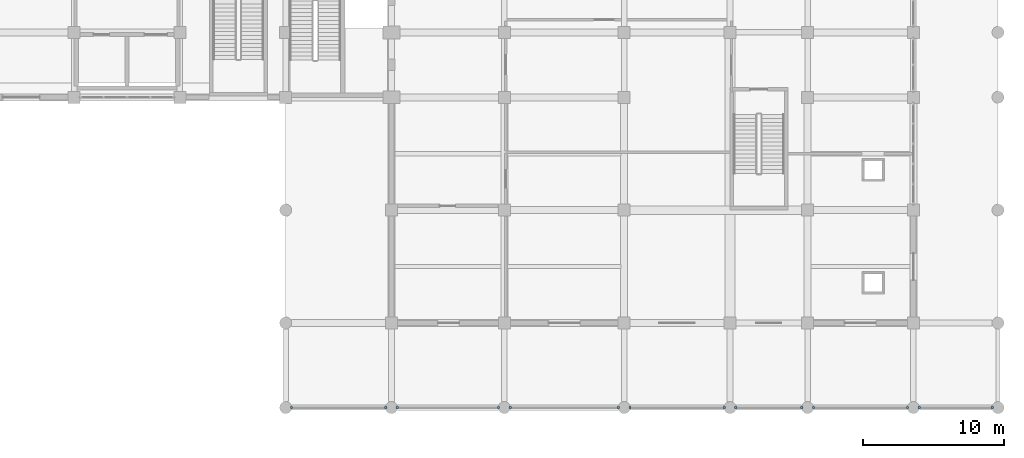
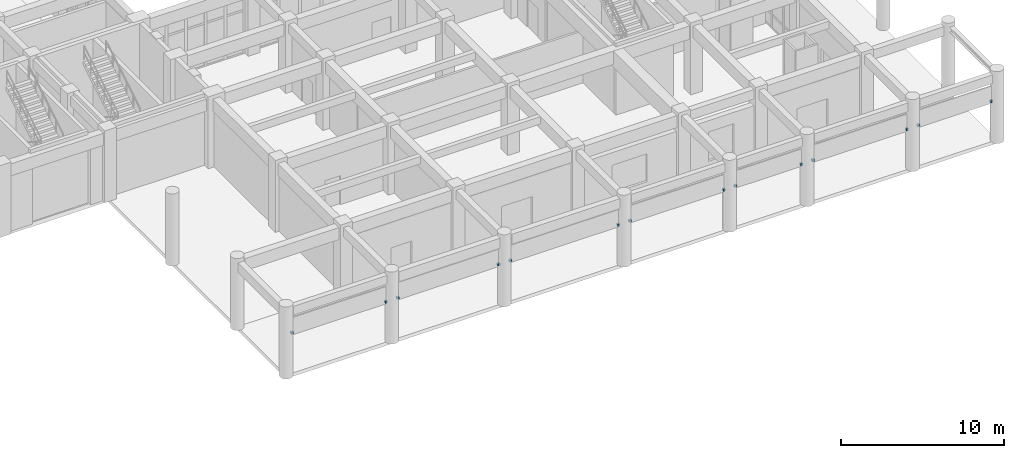
# One storey, part 74 of 84: 14 discrete accessories.
"""IFC4 building model written with IfcOpenShell, lengths in metres."""

from ifc_helpers import new_model, si_unit, direction, frame, origin, origin_2d, place, context, subcontext, project, spatial, rectangle, extrude, material, type_object, element, save


model = new_model("IFC4")

# Units and contexts
model_context = context("Model", 3, precision=1e-05, world=origin(), true_north=direction((0.0, 1.0)))
body_context = subcontext(model_context, "Body", "Model", "MODEL_VIEW")
ifc_project = project(units=[si_unit("LENGTHUNIT", "METRE"), si_unit("AREAUNIT", "SQUARE_METRE"), si_unit("VOLUMEUNIT", "CUBIC_METRE"), si_unit("PLANEANGLEUNIT", "RADIAN"), si_unit("MASSUNIT", "GRAM", prefix="KILO")], contexts=[model_context])

# Site, building, storey
site_placement = place(None, origin())
site = spatial("IfcSite", under=ifc_project, at=site_placement, CompositionType="ELEMENT")
building_placement = place(site_placement, origin())
building = spatial("IfcBuilding", under=site, at=building_placement, Name="Muzn Square Opera House", CompositionType="ELEMENT")
storey_placement = place(building_placement, origin())
storey = spatial("IfcBuildingStorey", under=building, at=storey_placement, Name="L00", CompositionType="ELEMENT", Elevation=0.0)

# Discrete accessories
ifc_material = material(Name="Brushed stainless steel", Category="metal")
discrete_accessory_type = type_object("IfcDiscreteAccessoryType", Name="Stainless Cladding Support Bracket", PredefinedType="BRACKET", material=ifc_material)
for number, where, z_axis, x_axis, name in (
    (1, (125.9150390625, 0.0, 2.97021484375), (0.0, 0.0, 1.0), (1.0, 0.0, 0.0), "Mashrabiya Support Bracket BRK-08-L"),
    (2, (132.5849609375, 0.0, 2.97021484375), (0.0, 0.0, 1.0), (1.0, 0.0, 0.0), "Mashrabiya Support Bracket BRK-08-R"),
    (3, (133.4150390625, 0.0, 2.97021484375), (0.0, 0.0, 1.0), (1.0, 0.0, 0.0), "Mashrabiya Support Bracket BRK-09-L"),
    (4, (140.5849609375, 0.0, 2.97021484375), (0.0, 0.0, 1.0), (1.0, 0.0, 0.0), "Mashrabiya Support Bracket BRK-09-R"),
    (5, (141.4150390625, 0.0, 2.97021484375), (0.0, 0.0, 1.0), (1.0, 0.0, 0.0), "Mashrabiya Support Bracket BRK-10-L"),
    (6, (149.0849609375, 0.0, 2.97021484375), (0.0, 0.0, 1.0), (1.0, 0.0, 0.0), "Mashrabiya Support Bracket BRK-10-R"),
    (7, (149.9150390625, 0.0, 2.97021484375), (0.0, 0.0, 1.0), (1.0, 0.0, 0.0), "Mashrabiya Support Bracket BRK-11-L"),
    (8, (156.5849609375, 0.0, 2.97021484375), (0.0, 0.0, 1.0), (1.0, 0.0, 0.0), "Mashrabiya Support Bracket BRK-11-R"),
    (9, (157.4150390625, 0.0, 2.97021484375), (0.0, 0.0, 1.0), (1.0, 0.0, 0.0), "Mashrabiya Support Bracket BRK-12-L"),
    (10, (162.0849609375, 0.0, 2.97021484375), (0.0, 0.0, 1.0), (1.0, 0.0, 0.0), "Mashrabiya Support Bracket BRK-12-R"),
    (11, (162.9150390625, 0.0, 2.97021484375), (0.0, 0.0, 1.0), (1.0, 0.0, 0.0), "Mashrabiya Support Bracket BRK-13-L"),
    (12, (169.5849609375, 0.0, 2.97021484375), (0.0, 0.0, 1.0), (1.0, 0.0, 0.0), "Mashrabiya Support Bracket BRK-13-R"),
    (13, (170.4150390625, 0.0, 2.97021484375), (0.0, 0.0, 1.0), (1.0, 0.0, 0.0), "Mashrabiya Support Bracket BRK-14-L"),
    (14, (175.5849609375, 0.0, 2.97021484375), (0.0, 0.0, 1.0), (1.0, 0.0, 0.0), "Mashrabiya Support Bracket BRK-14-R"),
):
    element("IfcDiscreteAccessory", number, at=place(storey_placement, frame(where, z_axis=z_axis, x_axis=x_axis)), inside=storey, type_object=discrete_accessory_type, Name=name, PredefinedType="BRACKET", context=body_context, shape_type="SweptSolid", body=[
        extrude(rectangle(XDim=0.159912109375, YDim=0.159912109375, at=origin_2d()), origin(), (0.0, 0.0, 1.0), 0.159912109375),
    ])

save(model, "model.ifc")
